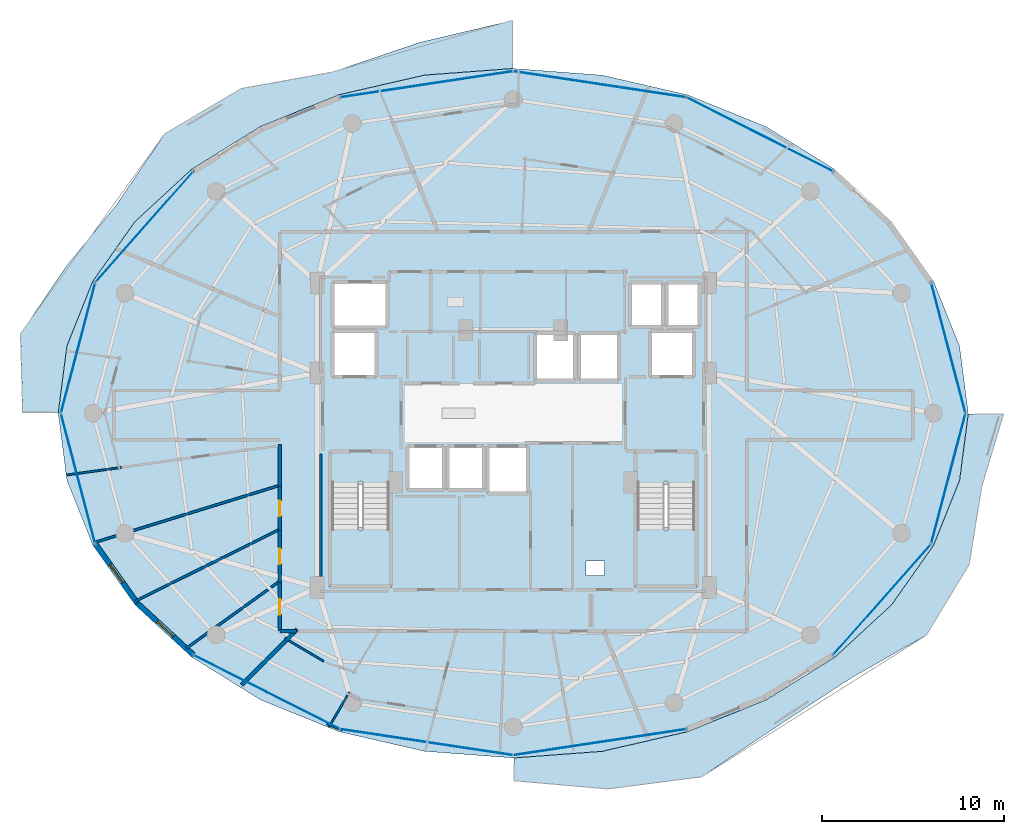
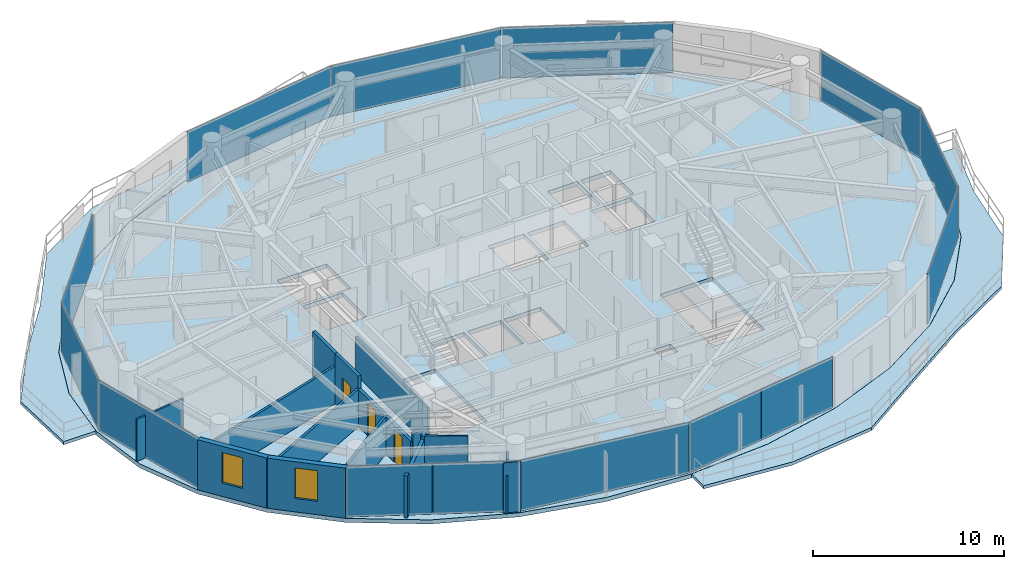
# One storey, part 20 of 29: 17 walls, 14 plates, 5 slabs, 3 doors, 2 windows, 5 openings, 6 elements without a shape of their own.
"""IFC4 building model written with IfcOpenShell, lengths in metres."""

from ifc_helpers import new_model, si_unit, direction, frame, frame_2d, origin, origin_2d, place, context, subcontext, project, spatial, polyline, rectangle, outline, extrude, material, layer, layer_set, type_object, element, fill, aggregate, save


model = new_model("IFC4")

# Units and contexts
model_context = context("Model", 3, precision=1e-05, world=origin(), true_north=direction((0.0, 1.0)))
body_context = subcontext(model_context, "Body", "Model", "MODEL_VIEW")
ifc_project = project(units=[si_unit("LENGTHUNIT", "METRE"), si_unit("AREAUNIT", "SQUARE_METRE"), si_unit("VOLUMEUNIT", "CUBIC_METRE"), si_unit("PLANEANGLEUNIT", "RADIAN"), si_unit("MASSUNIT", "GRAM", prefix="KILO")], contexts=[model_context])

# Site, building, storey
site_placement = place(None, origin())
site = spatial("IfcSite", under=ifc_project, at=site_placement, CompositionType="ELEMENT")
building_placement = place(site_placement, origin())
building = spatial("IfcBuilding", under=site, at=building_placement, Name="Vorneva Point Tower", CompositionType="ELEMENT")
storey_placement = place(building_placement, frame((0.0, 0.0, 171.10009765625)))
storey = spatial("IfcBuildingStorey", under=building, at=storey_placement, Name="L46", CompositionType="ELEMENT", Elevation=171.10009765625)

# Curtain wall, plates
ifc_material_1 = material(Name="Pale anodised aluminium", Category="aluminium")
curtain_wall_type = type_object("IfcCurtainWallType", Name="CW-RES-SYS", PredefinedType="NOTDEFINED", material=ifc_material_1)
curtain_wall_1_placement = place(storey_placement, origin())
curtain_wall_1 = element("IfcCurtainWall", 1, at=curtain_wall_1_placement, inside=storey, type_object=curtain_wall_type, Name="L46 Unitised Curtain Wall CW-L46-R01", PredefinedType="NOTDEFINED")
ifc_material_2 = material(Name="Double low-e laminated glass IGU", Category="glass")
ifc_layer_1 = layer(ifc_material_2, 0.035888671875)
ifc_layer_set_1 = layer_set([ifc_layer_1], Name="Double low-e laminated glass IGU")
plate_type = type_object("IfcPlateType", Name="CW-PNL-VIS", PredefinedType="CURTAIN_PANEL", material=ifc_layer_set_1)
plate_1_placement = place(storey_placement, frame((58.22412109375, 15.783203125, -0.02001953125), z_axis=(0.0, 0.0, 1.0), x_axis=(0.662214727207, 0.749314123095, 0.0)))
plate_1 = element("IfcPlate", 2, at=plate_1_placement, type_object=plate_type, Name="CW-L46-R01 Glazed Panel 01", PredefinedType="CURTAIN_PANEL", context=body_context, shape_type="SweptSolid", body=[
    extrude(rectangle(XDim=8.068115234375, YDim=0.035888671875, at=origin_2d()), origin(), (0.0, 0.0, 1.0), 3.239990234375),
])
plate_2_placement = place(storey_placement, frame((61.856201171875, 22.412353515625, -0.02001953125), z_axis=(0.0, 0.0, 1.0), x_axis=(0.254433162972, 0.967090360608, 0.0)))
plate_2 = element("IfcPlate", 3, at=plate_2_placement, type_object=plate_type, Name="CW-L46-R01 Glazed Panel 02", PredefinedType="CURTAIN_PANEL", context=body_context, shape_type="SweptSolid", body=[
    extrude(rectangle(XDim=7.369384765625, YDim=0.035888671875, at=origin_2d()), origin(), (0.0, 0.0, 1.0), 3.239990234375),
])
plate_3_placement = place(storey_placement, frame((61.856201171875, 29.587646484375, -0.02001953125), z_axis=(0.0, 0.0, 1.0), x_axis=(-0.254433162972, 0.967090360608, 0.0)))
plate_3 = element("IfcPlate", 4, at=plate_3_placement, type_object=plate_type, Name="CW-L46-R01 Glazed Panel 03", PredefinedType="CURTAIN_PANEL", context=body_context, shape_type="SweptSolid", body=[
    extrude(rectangle(XDim=7.369384765625, YDim=0.035888671875, at=origin_2d()), origin(), (0.0, 0.0, 1.0), 3.239990234375),
])
aggregate(curtain_wall_1, [plate_1, plate_2, plate_3])

curtain_wall_2_placement = place(storey_placement, origin())
curtain_wall_2 = element("IfcCurtainWall", 5, at=curtain_wall_2_placement, inside=storey, type_object=curtain_wall_type, Name="L46 Unitised Curtain Wall CW-L46-R02", PredefinedType="NOTDEFINED")
plate_4_placement = place(storey_placement, frame((51.513427734375, 41.29052734375, -0.02001953125), z_axis=(0.0, 0.0, 1.0), x_axis=(-0.892577949019, 0.450893119182, 0.0)))
plate_4 = element("IfcPlate", 6, at=plate_4_placement, type_object=plate_type, Name="CW-L46-R02 Glazed Panel 01", PredefinedType="CURTAIN_PANEL", context=body_context, shape_type="SweptSolid", body=[
    extrude(rectangle(XDim=8.964111328125, YDim=0.035888671875, at=origin_2d()), origin(), (0.0, 0.0, 1.0), 3.239990234375),
])
plate_5_placement = place(storey_placement, frame((42.7451171875, 44.036376953125, -0.02001953125), z_axis=(0.0, 0.0, 1.0), x_axis=(-0.988878712919, 0.148724211669, 0.0)))
plate_5 = element("IfcPlate", 7, at=plate_5_placement, type_object=plate_type, Name="CW-L46-R02 Glazed Panel 02", PredefinedType="CURTAIN_PANEL", context=body_context, shape_type="SweptSolid", body=[
    extrude(rectangle(XDim=9.547119140625, YDim=0.035888671875, at=origin_2d()), origin(), (0.0, 0.0, 1.0), 3.239990234375),
])
plate_6_placement = place(storey_placement, frame((33.2548828125, 44.036376953125, -0.02001953125), z_axis=(0.0, 0.0, 1.0), x_axis=(-0.988878712919, -0.148724211669, 0.0)))
plate_6 = element("IfcPlate", 8, at=plate_6_placement, type_object=plate_type, Name="CW-L46-R02 Glazed Panel 03", PredefinedType="CURTAIN_PANEL", context=body_context, shape_type="SweptSolid", body=[
    extrude(rectangle(XDim=9.547119140625, YDim=0.035888671875, at=origin_2d()), origin(), (0.0, 0.0, 1.0), 3.239990234375),
])
aggregate(curtain_wall_2, [plate_4, plate_5, plate_6])

curtain_wall_3_placement = place(storey_placement, origin())
curtain_wall_3 = element("IfcCurtainWall", 9, at=curtain_wall_3_placement, inside=storey, type_object=curtain_wall_type, Name="L46 Unitised Curtain Wall CW-L46-R03", PredefinedType="NOTDEFINED")
plate_7_placement = place(storey_placement, frame((17.77587890625, 36.216796875, -0.02001953125), z_axis=(0.0, 0.0, 1.0), x_axis=(-0.662214727207, -0.749314123095, 0.0)))
plate_7 = element("IfcPlate", 10, at=plate_7_placement, type_object=plate_type, Name="CW-L46-R03 Glazed Panel 01", PredefinedType="CURTAIN_PANEL", context=body_context, shape_type="SweptSolid", body=[
    extrude(rectangle(XDim=8.068115234375, YDim=0.035888671875, at=origin_2d()), origin(), (0.0, 0.0, 1.0), 3.239990234375),
])
plate_8_placement = place(storey_placement, frame((14.143798828125, 29.587646484375, -0.02001953125), z_axis=(0.0, 0.0, 1.0), x_axis=(-0.254433162972, -0.967090360608, 0.0)))
plate_8 = element("IfcPlate", 11, at=plate_8_placement, type_object=plate_type, Name="CW-L46-R03 Glazed Panel 02", PredefinedType="CURTAIN_PANEL", context=body_context, shape_type="SweptSolid", body=[
    extrude(rectangle(XDim=7.369384765625, YDim=0.035888671875, at=origin_2d()), origin(), (0.0, 0.0, 1.0), 3.239990234375),
])
plate_9_placement = place(storey_placement, frame((14.143798828125, 22.412353515625, -0.02001953125), z_axis=(0.0, 0.0, 1.0), x_axis=(0.254433162972, -0.967090360608, 0.0)))
plate_9 = element("IfcPlate", 12, at=plate_9_placement, type_object=plate_type, Name="CW-L46-R03 Glazed Panel 03", PredefinedType="CURTAIN_PANEL", context=body_context, shape_type="SweptSolid", body=[
    extrude(rectangle(XDim=7.369384765625, YDim=0.035888671875, at=origin_2d()), origin(), (0.0, 0.0, 1.0), 3.239990234375),
])
aggregate(curtain_wall_3, [plate_7, plate_8, plate_9])

curtain_wall_4_placement = place(storey_placement, origin())
curtain_wall_4 = element("IfcCurtainWall", 13, at=curtain_wall_4_placement, inside=storey, type_object=curtain_wall_type, Name="L46 Unitised Curtain Wall CW-L46-R04", PredefinedType="NOTDEFINED")
plate_10_placement = place(storey_placement, frame((22.47509765625, 11.7255859375, -0.02001953125), z_axis=(0.0, 0.0, 1.0), x_axis=(0.892577949019, -0.450893119182, 0.0)))
plate_10 = element("IfcPlate", 14, at=plate_10_placement, type_object=plate_type, Name="CW-L46-R04 Glazed Panel 01A", PredefinedType="CURTAIN_PANEL", context=body_context, shape_type="SweptSolid", body=[
    extrude(rectangle(XDim=4.45703125, YDim=0.035888671875, at=origin_2d()), origin(), (0.0, 0.0, 1.0), 3.239990234375),
])
plate_11_placement = place(storey_placement, frame((26.498046875, 9.693359375, -0.02001953125), z_axis=(0.0, 0.0, 1.0), x_axis=(0.892577949019, -0.450893119182, 0.0)))
plate_11 = element("IfcPlate", 15, at=plate_11_placement, type_object=plate_type, Name="CW-L46-R04 Glazed Panel 01B", PredefinedType="CURTAIN_PANEL", context=body_context, shape_type="SweptSolid", body=[
    extrude(rectangle(XDim=4.45703125, YDim=0.035888671875, at=origin_2d()), origin(), (0.0, 0.0, 1.0), 3.239990234375),
])
plate_12_placement = place(storey_placement, frame((33.2548828125, 7.963623046875, -0.02001953125), z_axis=(0.0, 0.0, 1.0), x_axis=(0.988878712919, -0.148724211669, 0.0)))
plate_12 = element("IfcPlate", 16, at=plate_12_placement, type_object=plate_type, Name="CW-L46-R04 Glazed Panel 02", PredefinedType="CURTAIN_PANEL", context=body_context, shape_type="SweptSolid", body=[
    extrude(rectangle(XDim=9.547119140625, YDim=0.035888671875, at=origin_2d()), origin(), (0.0, 0.0, 1.0), 3.239990234375),
])
plate_13_placement = place(storey_placement, frame((40.37255859375, 7.606689453125, -0.02001953125), z_axis=(0.0, 0.0, 1.0), x_axis=(0.988878712919, 0.148724211669, 0.0)))
plate_13 = element("IfcPlate", 17, at=plate_13_placement, type_object=plate_type, Name="CW-L46-R04 Glazed Panel 03A", PredefinedType="CURTAIN_PANEL", context=body_context, shape_type="SweptSolid", body=[
    extrude(rectangle(XDim=4.74853515625, YDim=0.035888671875, at=origin_2d()), origin(), (0.0, 0.0, 1.0), 3.239990234375),
])
plate_14_placement = place(storey_placement, frame((45.117919921875, 8.320556640625, -0.02001953125), z_axis=(0.0, 0.0, 1.0), x_axis=(0.988878712919, 0.148724211669, 0.0)))
plate_14 = element("IfcPlate", 18, at=plate_14_placement, type_object=plate_type, Name="CW-L46-R04 Glazed Panel 03B", PredefinedType="CURTAIN_PANEL", context=body_context, shape_type="SweptSolid", body=[
    extrude(rectangle(XDim=4.74853515625, YDim=0.035888671875, at=origin_2d()), origin(), (0.0, 0.0, 1.0), 3.239990234375),
])
aggregate(curtain_wall_4, [plate_10, plate_11, plate_12, plate_13, plate_14])

# Slabs
ifc_material_3 = material(Name="Concrete B50 (C40/50)", Category="concrete")
ifc_layer_2 = layer(ifc_material_3, 0.199951171875)
ifc_layer_set_2 = layer_set([ifc_layer_2], Name="Concrete B50 (C40/50)")
slab_type_1 = type_object("IfcSlabType", Name="SLB-BAL-200", PredefinedType="FLOOR", material=ifc_layer_set_2)
slab_1_placement = place(storey_placement, frame((0.0, 0.0, -0.2001953125)))
element("IfcSlab", 19, at=slab_1_placement, inside=storey, type_object=slab_type_1, Name="L46 Cantilevered Wave Balcony NW", PredefinedType="FLOOR", context=body_context, shape_type="SweptSolid", body=[
    extrude(outline(polyline([(11.0986328125, 26.050048828125), (13.052490234375, 26.050048828125), (13.525390625, 29.687744140625), (13.525390625, 29.68798828125), (13.525634765625, 29.6884765625), (13.525634765625, 29.688720703125), (14.945556640625, 33.234130859375), (14.94580078125, 33.234619140625), (14.94580078125, 33.235107421875), (17.25146484375, 36.502685546875), (17.251708984375, 36.5029296875), (17.252197265625, 36.503173828125), (20.35498046875, 39.3671875), (20.355224609375, 39.367431640625), (20.355712890625, 39.36767578125), (24.136474609375, 41.71826171875), (24.13671875, 41.718505859375), (24.136962890625, 41.718505859375), (28.450439453125, 43.465087890625), (28.45068359375, 43.465087890625), (28.451171875, 43.465087890625), (33.131591796875, 44.540771484375), (33.1318359375, 44.540771484375), (33.132080078125, 44.540771484375), (37.949951171875, 44.900390625), (37.949951171875, 47.5380859375), (32.8623046875, 46.330078125), (28.06201171875, 44.704833984375), (23.082275390625, 43.801513671875), (18.88134765625, 41.313232421875), (16.22900390625, 37.4052734375), (13.473388671875, 34.039794921875), (10.979248046875, 30.356689453125), (11.0986328125, 26.050048828125)])), origin(), (0.0, 0.0, 1.0), 0.2001953125),
])
slab_2_placement = place(storey_placement, frame((0.0, 0.0, -0.2001953125)))
element("IfcSlab", 20, at=slab_2_placement, inside=storey, type_object=slab_type_1, Name="L46 Cantilevered Wave Balcony SE", PredefinedType="FLOOR", context=body_context, shape_type="SweptSolid", body=[
    extrude(outline(polyline([(63.692626953125, 21.991943359375), (64.885009765625, 25.949951171875), (62.947509765625, 25.949951171875), (62.474609375, 22.312255859375), (62.474609375, 22.31201171875), (62.474365234375, 22.3115234375), (62.474365234375, 22.311279296875), (61.054443359375, 18.765869140625), (61.05419921875, 18.765380859375), (61.05419921875, 18.764892578125), (58.74853515625, 15.497314453125), (58.748291015625, 15.4970703125), (58.747802734375, 15.496826171875), (55.64501953125, 12.6328125), (55.644775390625, 12.632568359375), (55.644287109375, 12.63232421875), (51.863525390625, 10.28173828125), (51.86328125, 10.281494140625), (51.863037109375, 10.281494140625), (47.549560546875, 8.534912109375), (47.54931640625, 8.534912109375), (47.548828125, 8.534912109375), (42.868408203125, 7.459228515625), (42.8681640625, 7.459228515625), (42.867919921875, 7.459228515625), (38.050048828125, 7.099609375), (38.050048828125, 5.845703125), (43.178466796875, 5.39990234375), (48.325439453125, 6.06103515625), (52.56640625, 8.892333984375), (56.52099609375, 11.475830078125), (60.64404296875, 13.82470703125), (62.996826171875, 17.703125), (63.692626953125, 21.991943359375)])), origin(), (0.0, 0.0, 1.0), 0.2001953125),
])

# Stair, slab
stair_type = type_object("IfcStairType", Name="ST-DOG-1500", PredefinedType="HALF_TURN_STAIR", material=ifc_material_3)
stair_1_placement = place(storey_placement, origin())
stair_1 = element("IfcStair", 21, at=stair_1_placement, inside=storey, type_object=stair_type, Name="L46 ST1", PredefinedType="HALF_TURN_STAIR")
ifc_layer_3 = layer(ifc_material_3, 0.199951171875)
ifc_layer_set_3 = layer_set([ifc_layer_3], Name="Concrete B50 (C40/50)")
slab_type_2 = type_object("IfcSlabType", Name="SLB-LND-200", PredefinedType="LANDING", material=ifc_layer_set_3)
slab_3_placement = place(storey_placement, frame((0.0, 0.0, 1.5498046875)))
slab_3 = element("IfcSlab", 22, at=slab_3_placement, type_object=slab_type_2, Name="ST1 landing 1", PredefinedType="LANDING", context=body_context, shape_type="SweptSolid", body=[
    extrude(outline(polyline([(27.929931640625, 16.47998046875), (31.320068359375, 16.47998046875), (31.320068359375, 19.72998046875), (27.929931640625, 19.72998046875), (27.929931640625, 16.47998046875)])), origin(), (0.0, 0.0, 1.0), 0.2001953125),
])
aggregate(stair_1, [slab_3])

stair_2_placement = place(storey_placement, origin())
stair_2 = element("IfcStair", 23, at=stair_2_placement, inside=storey, type_object=stair_type, Name="L46 ST2", PredefinedType="HALF_TURN_STAIR")
slab_4_placement = place(storey_placement, frame((0.0, 0.0, 1.5498046875)))
slab_4 = element("IfcSlab", 24, at=slab_4_placement, type_object=slab_type_2, Name="ST2 landing 1", PredefinedType="LANDING", context=body_context, shape_type="SweptSolid", body=[
    extrude(outline(polyline([(44.679931640625, 16.47998046875), (48.070068359375, 16.47998046875), (48.070068359375, 19.72998046875), (44.679931640625, 19.72998046875), (44.679931640625, 16.47998046875)])), origin(), (0.0, 0.0, 1.0), 0.2001953125),
])
aggregate(stair_2, [slab_4])

# Slab
ifc_layer_4 = layer(ifc_material_3, 0.260009765625)
ifc_layer_set_4 = layer_set([ifc_layer_4], Name="Concrete B50 (C40/50)")
slab_type_3 = type_object("IfcSlabType", Name="SLB-TYP-260", PredefinedType="FLOOR", material=ifc_layer_set_4)
slab_5_placement = place(storey_placement, frame((0.0, 0.0, -0.260009765625)))
element("IfcSlab", 25, at=slab_5_placement, inside=storey, type_object=slab_type_3, Name="L46 Structural Floor Plate", PredefinedType="FLOOR", context=body_context, shape_type="SweptSolid", body=[
    extrude(outline(polyline([(62.949951171875, 26.0), (62.470703125, 29.687255859375), (61.05078125, 33.232666015625), (58.7451171875, 36.500244140625), (55.642333984375, 39.3642578125), (51.861572265625, 41.71484375), (47.548095703125, 43.461181640625), (42.867431640625, 44.536865234375), (38.0, 44.89990234375), (33.132568359375, 44.536865234375), (28.451904296875, 43.461181640625), (24.138427734375, 41.71484375), (20.357666015625, 39.3642578125), (17.2548828125, 36.500244140625), (14.94921875, 33.232666015625), (13.529296875, 29.687255859375), (13.050048828125, 26.0), (13.529296875, 22.312744140625), (14.94921875, 18.767333984375), (17.2548828125, 15.499755859375), (20.357666015625, 12.6357421875), (24.138427734375, 10.28515625), (28.451904296875, 8.538818359375), (33.132568359375, 7.463134765625), (38.0, 7.10009765625), (42.867431640625, 7.463134765625), (47.548095703125, 8.538818359375), (51.861572265625, 10.28515625), (55.642333984375, 12.6357421875), (58.7451171875, 15.499755859375), (61.05078125, 18.767333984375), (62.470703125, 22.312744140625), (62.949951171875, 26.0)]), holes=[polyline([(32.199951171875, 21.800048828125), (34.199951171875, 21.800048828125), (34.199951171875, 24.199951171875), (32.199951171875, 24.199951171875), (32.199951171875, 21.800048828125)]), polyline([(34.39990234375, 21.800048828125), (36.39990234375, 21.800048828125), (36.39990234375, 24.199951171875), (34.39990234375, 24.199951171875), (34.39990234375, 21.800048828125)]), polyline([(36.60009765625, 21.60009765625), (38.800048828125, 21.60009765625), (38.800048828125, 24.199951171875), (36.60009765625, 24.199951171875), (36.60009765625, 21.60009765625)]), polyline([(39.199951171875, 27.800048828125), (41.39990234375, 27.800048828125), (41.39990234375, 30.39990234375), (39.199951171875, 30.39990234375), (39.199951171875, 27.800048828125)]), polyline([(41.60009765625, 27.800048828125), (43.800048828125, 27.800048828125), (43.800048828125, 30.39990234375), (41.60009765625, 30.39990234375), (41.60009765625, 27.800048828125)]), polyline([(44.39990234375, 30.739990234375), (46.199951171875, 30.739990234375), (46.199951171875, 33.159912109375), (44.39990234375, 33.159912109375), (44.39990234375, 30.739990234375)]), polyline([(46.39990234375, 30.739990234375), (48.199951171875, 30.739990234375), (48.199951171875, 33.159912109375), (46.39990234375, 33.159912109375), (46.39990234375, 30.739990234375)]), polyline([(28.10009765625, 28.0), (30.5, 28.0), (30.5, 30.5), (28.10009765625, 30.5), (28.10009765625, 28.0)]), polyline([(45.5, 28.0), (47.89990234375, 28.0), (47.89990234375, 30.5), (45.5, 30.5), (45.5, 28.0)]), polyline([(28.10009765625, 30.699951171875), (31.10009765625, 30.699951171875), (31.10009765625, 33.199951171875), (28.10009765625, 33.199951171875), (28.10009765625, 30.699951171875)]), polyline([(28.050048828125, 16.60009765625), (31.199951171875, 16.60009765625), (31.199951171875, 22.080078125), (28.050048828125, 22.080078125), (28.050048828125, 16.60009765625)]), polyline([(44.800048828125, 16.60009765625), (47.949951171875, 16.60009765625), (47.949951171875, 22.080078125), (44.800048828125, 22.080078125), (44.800048828125, 16.60009765625)]), polyline([(42.0, 17.10009765625), (43.0, 17.10009765625), (43.0, 17.89990234375), (42.0, 17.89990234375), (42.0, 17.10009765625)])]), origin(), (0.0, 0.0, 1.0), 0.260009765625),
])

# Wall, opening, window
ifc_material_4 = material(Name="Precast concrete B50 (C40/50)", Category="concrete")
ifc_layer_5 = layer(ifc_material_4, 0.300048828125)
ifc_layer_set_5 = layer_set([ifc_layer_5], Name="Precast concrete B50 (C40/50)")
wall_type_1 = type_object("IfcWallType", Name="WL-EXT-300", PredefinedType="STANDARD", material=ifc_layer_set_5)
wall_1_placement = place(storey_placement, frame((15.087890625, 18.82470703125, 0.0), z_axis=(0.0, 0.0, 1.0), x_axis=(0.577269753207, -0.816553508371, 0.0)))
wall_1 = element("IfcWall", 26, at=wall_1_placement, inside=storey, type_object=wall_type_1, Name="L46 Pale-Metal Facade Spandrel Wall 10.1", PredefinedType="STANDARD", context=body_context, shape_type="SweptSolid", body=[
    extrude(rectangle(XDim=3.969970703125, YDim=0.300048828125, at=frame_2d((1.98486328125, 0.0))), origin(), (0.0, 0.0, 1.0), 3.199951171875),
])
opening_1_placement = place(wall_1_placement, frame((1.385009765625, 0.0, 0.85009765625)))
opening_1 = element("IfcOpeningElement", 27, at=opening_1_placement, cuts=wall_1, Name="Opening W-04", PredefinedType="OPENING", context=body_context, shape_type="SweptSolid", body=[
    extrude(rectangle(XDim=1.199951171875, YDim=1.949951171875, at=frame_2d((0.60009765625, 0.97509765625))), frame((0.0, 0.1650390625, 0.0), z_axis=(0.0, -1.0, 0.0), x_axis=(1.0, 0.0, 0.0)), (0.0, 0.0, 1.0), 0.329833984375),
])
window_type = type_object("IfcWindowType", Name="WN-RES-1200", PartitioningType="SINGLE_PANEL", PredefinedType="WINDOW", material=ifc_material_2)
window_1_placement = place(opening_1_placement, origin())
window_1 = element("IfcWindow", 28, at=window_1_placement, inside=storey, type_object=window_type, Name="L46 Dwelling Vision Window 02", OverallHeight=1.949951171875, OverallWidth=1.199951171875, PartitioningType="SINGLE_PANEL", PredefinedType="WINDOW", context=body_context, shape_type="SweptSolid", body=[
    extrude(rectangle(XDim=1.199951171875, YDim=1.949951171875, at=frame_2d((0.60009765625, 0.97509765625))), frame((0.0, 0.030029296875, 0.0), z_axis=(0.0, -1.0, 0.0), x_axis=(1.0, 0.0, 0.0)), (0.0, 0.0, 1.0), 0.06005859375),
])
fill(opening_1, window_1)

wall_2_placement = place(storey_placement, frame((17.379638671875, 15.5830078125, 0.0), z_axis=(0.0, 0.0, 1.0), x_axis=(0.735477154165, -0.677549522693, 0.0)))
wall_2 = element("IfcWall", 29, at=wall_2_placement, inside=storey, type_object=wall_type_1, Name="L46 Pale-Metal Facade Spandrel Wall 10.2", PredefinedType="STANDARD", context=body_context, shape_type="SweptSolid", body=[
    extrude(rectangle(XDim=4.193603515625, YDim=0.300048828125, at=frame_2d((2.0966796875, 0.0))), origin(), (0.0, 0.0, 1.0), 3.199951171875),
])
opening_2_placement = place(wall_2_placement, frame((1.496826171875, 0.0, 0.85009765625)))
opening_2 = element("IfcOpeningElement", 30, at=opening_2_placement, cuts=wall_2, Name="Opening W-04", PredefinedType="OPENING", context=body_context, shape_type="SweptSolid", body=[
    extrude(rectangle(XDim=1.199951171875, YDim=1.949951171875, at=frame_2d((0.60009765625, 0.97509765625))), frame((0.0, 0.1650390625, 0.0), z_axis=(0.0, -1.0, 0.0), x_axis=(1.0, 0.0, 0.0)), (0.0, 0.0, 1.0), 0.329833984375),
])
window_2_placement = place(opening_2_placement, origin())
window_2 = element("IfcWindow", 31, at=window_2_placement, inside=storey, type_object=window_type, Name="L46 Dwelling Vision Window 03", OverallHeight=1.949951171875, OverallWidth=1.199951171875, PartitioningType="SINGLE_PANEL", PredefinedType="WINDOW", context=body_context, shape_type="SweptSolid", body=[
    extrude(rectangle(XDim=1.199951171875, YDim=1.949951171875, at=frame_2d((0.60009765625, 0.97509765625))), frame((0.0, 0.030029296875, 0.0), z_axis=(0.0, -1.0, 0.0), x_axis=(1.0, 0.0, 0.0)), (0.0, 0.0, 1.0), 0.06005859375),
])
fill(opening_2, window_2)

# Walls
ifc_material_5 = material(Name="Fire-rated acoustic gypsum stud partition", Category="gypsum")
ifc_layer_6 = layer(ifc_material_5, 0.110107421875)
ifc_layer_set_6 = layer_set([ifc_layer_6], Name="Fire-rated acoustic gypsum stud partition")
wall_type_2 = type_object("IfcWallType", Name="WL-PART-110", PredefinedType="PARTITIONING", material=ifc_layer_set_6)
wall_3_placement = place(storey_placement, frame((16.524658203125, 23.0302734375, 0.0), z_axis=(0.0, 0.0, 1.0), x_axis=(-0.990557555541, -0.137097516973, 0.0)))
element("IfcWall", 32, at=wall_3_placement, inside=storey, type_object=wall_type_2, Name="L46 Interior Partition 091", PredefinedType="PARTITIONING", context=body_context, shape_type="SweptSolid", body=[
    extrude(rectangle(XDim=3.05224609375, YDim=0.110107421875, at=frame_2d((1.526123046875, 0.0))), origin(), (0.0, 0.0, 1.0), 2.68798828125),
])
wall_4_placement = place(storey_placement, frame((27.610595703125, 12.398681640625, 0.0), z_axis=(0.0, 0.0, 1.0), x_axis=(-0.860546797705, 0.509371386082, 0.0)))
element("IfcWall", 33, at=wall_4_placement, inside=storey, type_object=wall_type_2, Name="L46 Interior Partition 101", PredefinedType="PARTITIONING", context=body_context, shape_type="SweptSolid", body=[
    extrude(rectangle(XDim=2.484619140625, YDim=0.110107421875, at=frame_2d((1.2421875, 0.0))), origin(), (0.0, 0.0, 1.0), 2.888916015625),
])
wall_5_placement = place(storey_placement, frame((27.88818359375, 8.779296875, 0.0), z_axis=(0.0, 0.0, 1.0), x_axis=(0.506572342253, 0.86219746118, 0.0)))
element("IfcWall", 34, at=wall_5_placement, inside=storey, type_object=wall_type_2, Name="L46 Interior Partition 102", PredefinedType="PARTITIONING", context=body_context, shape_type="SweptSolid", body=[
    extrude(rectangle(XDim=2.239990234375, YDim=0.110107421875, at=frame_2d((1.1201171875, 0.0))), origin(), (0.0, 0.0, 1.0), 2.391845703125),
])
wall_6_placement = place(storey_placement, frame((27.773193359375, 8.974365234375, 0.0), z_axis=(0.0, 0.0, 1.0), x_axis=(0.927227668606, -0.374498131599, 0.0)))
element("IfcWall", 35, at=wall_6_placement, inside=storey, type_object=wall_type_2, Name="L46 Interior Partition 105", PredefinedType="PARTITIONING", context=body_context, shape_type="SweptSolid", body=[
    extrude(rectangle(XDim=0.92041015625, YDim=0.110107421875, at=frame_2d((0.460205078125, 0.0))), origin(), (0.0, 0.0, 1.0), 3.199951171875),
])
ifc_layer_7 = layer(ifc_material_5, 0.139892578125)
ifc_layer_set_7 = layer_set([ifc_layer_7], Name="Fire-rated acoustic gypsum stud partition")
wall_type_3 = type_object("IfcWallType", Name="WL-PART-140", PredefinedType="PARTITIONING", material=ifc_layer_set_7)
wall_7_placement = place(storey_placement, frame((15.051025390625, 18.9150390625, 0.0), z_axis=(0.0, 0.0, 1.0), x_axis=(0.955505753702, 0.294972464211, 0.0)))
element("IfcWall", 36, at=wall_7_placement, inside=storey, type_object=wall_type_3, Name="L46 Interior Partition 094", PredefinedType="PARTITIONING", context=body_context, shape_type="SweptSolid", body=[
    extrude(rectangle(XDim=10.62158203125, YDim=0.139892578125, at=frame_2d((5.310791015625, 0.0))), origin(), (0.0, 0.0, 1.0), 2.391845703125),
])
wall_8_placement = place(storey_placement, frame((17.2939453125, 15.7041015625, 0.0), z_axis=(0.0, 0.0, 1.0), x_axis=(0.89538182578, 0.445299209591, 0.0)))
element("IfcWall", 37, at=wall_8_placement, inside=storey, type_object=wall_type_3, Name="L46 Interior Partition 095", PredefinedType="PARTITIONING", context=body_context, shape_type="SweptSolid", body=[
    extrude(rectangle(XDim=8.829833984375, YDim=0.139892578125, at=frame_2d((4.4150390625, 0.0))), origin(), (0.0, 0.0, 1.0), 2.391845703125),
])
wall_9_placement = place(storey_placement, frame((20.069091796875, 13.10595703125, 0.0), z_axis=(0.0, 0.0, 1.0), x_axis=(0.81185514799, 0.58385890306, 0.0)))
element("IfcWall", 38, at=wall_9_placement, inside=storey, type_object=wall_type_3, Name="L46 Interior Partition 096", PredefinedType="PARTITIONING", context=body_context, shape_type="SweptSolid", body=[
    extrude(rectangle(XDim=6.31982421875, YDim=0.139892578125, at=frame_2d((3.159912109375, 0.0))), origin(), (0.0, 0.0, 1.0), 2.391845703125),
])
wall_10_placement = place(storey_placement, frame((27.449951171875, 23.75390625, 0.0), z_axis=(0.0, 0.0, 1.0), x_axis=(0.0, -1.0, 0.0)))
element("IfcWall", 39, at=wall_10_placement, inside=storey, type_object=wall_type_3, Name="L46 Interior Closure Partition 129", PredefinedType="PARTITIONING", context=body_context, shape_type="SweptSolid", body=[
    extrude(rectangle(XDim=7.513916015625, YDim=0.139892578125, at=frame_2d((3.7568359375, 0.0))), origin(), (0.0, 0.0, 1.0), 2.391845703125),
])
ifc_material_6 = material(Name="Autoclaved aerated concrete blockwork", Category="masonry")
ifc_layer_8 = layer(ifc_material_6, 0.179931640625)
ifc_layer_set_8 = layer_set([ifc_layer_8], Name="Autoclaved aerated concrete blockwork")
wall_type_4 = type_object("IfcWallType", Name="WL-PART-180", PredefinedType="PARTITIONING", material=ifc_layer_set_8)
wall_11_placement = place(storey_placement, frame((25.199951171875, 24.2900390625, 0.0), z_axis=(0.0, 0.0, 1.0), x_axis=(0.0, -1.0, 0.0)))
element("IfcWall", 40, at=wall_11_placement, inside=storey, type_object=wall_type_4, Name="L46 Interior Partition 042", PredefinedType="PARTITIONING", context=body_context, shape_type="SweptSolid", body=[
    extrude(rectangle(XDim=2.304931640625, YDim=0.179931640625, at=frame_2d((1.15234375, 0.0))), origin(), (0.0, 0.0, 1.0), 3.199951171875),
])

# Wall, opening, door
wall_12_placement = place(storey_placement, frame((25.199951171875, 21.985107421875, 0.0), z_axis=(0.0, 0.0, 1.0), x_axis=(0.0, -1.0, 0.0)))
wall_12 = element("IfcWall", 41, at=wall_12_placement, inside=storey, type_object=wall_type_4, Name="L46 Interior Partition 043", PredefinedType="PARTITIONING", context=body_context, shape_type="SweptSolid", body=[
    extrude(rectangle(XDim=2.416015625, YDim=0.179931640625, at=frame_2d((1.2080078125, 0.0))), origin(), (0.0, 0.0, 1.0), 3.199951171875),
])
opening_3_placement = place(wall_12_placement, frame((0.782958984375, 0.0, 0.0)))
opening_3 = element("IfcOpeningElement", 42, at=opening_3_placement, cuts=wall_12, Name="Opening ID-02", PredefinedType="OPENING", context=body_context, shape_type="SweptSolid", body=[
    extrude(rectangle(XDim=0.85009765625, YDim=2.10009765625, at=frame_2d((0.425048828125, 1.050048828125))), frame((0.0, 0.10498046875, 0.0), z_axis=(0.0, -1.0, 0.0), x_axis=(1.0, 0.0, 0.0)), (0.0, 0.0, 1.0), 0.209716796875),
])
ifc_material_7 = material(Name="Engineered oak fire-rated door leaf", Category="wood")
door_type = type_object("IfcDoorType", Name="DR-BATH-850", OperationType="NOTDEFINED", PredefinedType="DOOR", material=ifc_material_7)
door_1_placement = place(opening_3_placement, origin())
door_1 = element("IfcDoor", 43, at=door_1_placement, inside=storey, type_object=door_type, Name="L46 Access Door L46 Circulation Corridor", OperationType="SINGLE_SWING_RIGHT", OverallHeight=2.10009765625, OverallWidth=0.85009765625, PredefinedType="DOOR", context=body_context, shape_type="SweptSolid", body=[
    extrude(rectangle(XDim=0.85009765625, YDim=2.10009765625, at=frame_2d((0.425048828125, 1.050048828125))), frame((0.0, 0.02490234375, 0.0), z_axis=(0.0, -1.0, 0.0), x_axis=(1.0, 0.0, 0.0)), (0.0, 0.0, 1.0), 0.050048828125),
])
fill(opening_3, door_1)

wall_13_placement = place(storey_placement, frame((25.199951171875, 19.569091796875, 0.0), z_axis=(0.0, 0.0, 1.0), x_axis=(0.0, -1.0, 0.0)))
wall_13 = element("IfcWall", 44, at=wall_13_placement, inside=storey, type_object=wall_type_4, Name="L46 Interior Partition 044", PredefinedType="PARTITIONING", context=body_context, shape_type="SweptSolid", body=[
    extrude(rectangle(XDim=2.84716796875, YDim=0.179931640625, at=frame_2d((1.423583984375, 0.0))), origin(), (0.0, 0.0, 1.0), 2.391845703125),
])
opening_4_placement = place(wall_13_placement, frame((0.99853515625, 0.0, 0.0)))
opening_4 = element("IfcOpeningElement", 45, at=opening_4_placement, cuts=wall_13, Name="Opening ID-02", PredefinedType="OPENING", context=body_context, shape_type="SweptSolid", body=[
    extrude(rectangle(XDim=0.85009765625, YDim=2.10009765625, at=frame_2d((0.425048828125, 1.050048828125))), frame((0.0, 0.10498046875, 0.0), z_axis=(0.0, -1.0, 0.0), x_axis=(1.0, 0.0, 0.0)), (0.0, 0.0, 1.0), 0.209716796875),
])
door_2_placement = place(opening_4_placement, origin())
door_2 = element("IfcDoor", 46, at=door_2_placement, inside=storey, type_object=door_type, Name="L46 Access Door L46 Circulation Corridor", OperationType="SINGLE_SWING_LEFT", OverallHeight=2.10009765625, OverallWidth=0.85009765625, PredefinedType="DOOR", context=body_context, shape_type="SweptSolid", body=[
    extrude(rectangle(XDim=0.85009765625, YDim=2.10009765625, at=frame_2d((0.425048828125, 1.050048828125))), frame((0.0, 0.02490234375, 0.0), z_axis=(0.0, -1.0, 0.0), x_axis=(1.0, 0.0, 0.0)), (0.0, 0.0, 1.0), 0.050048828125),
])
fill(opening_4, door_2)

wall_14_placement = place(storey_placement, frame((25.199951171875, 16.721923828125, 0.0), z_axis=(0.0, 0.0, 1.0), x_axis=(0.0, -1.0, 0.0)))
wall_14 = element("IfcWall", 47, at=wall_14_placement, inside=storey, type_object=wall_type_4, Name="L46 Interior Partition 045", PredefinedType="PARTITIONING", context=body_context, shape_type="SweptSolid", body=[
    extrude(rectangle(XDim=2.671875, YDim=0.179931640625, at=frame_2d((1.3359375, 0.0))), origin(), (0.0, 0.0, 1.0), 2.391845703125),
])
opening_5_placement = place(wall_14_placement, frame((0.910888671875, 0.0, 0.0)))
opening_5 = element("IfcOpeningElement", 48, at=opening_5_placement, cuts=wall_14, Name="Opening ID-02", PredefinedType="OPENING", context=body_context, shape_type="SweptSolid", body=[
    extrude(rectangle(XDim=0.85009765625, YDim=2.10009765625, at=frame_2d((0.425048828125, 1.050048828125))), frame((0.0, 0.10498046875, 0.0), z_axis=(0.0, -1.0, 0.0), x_axis=(1.0, 0.0, 0.0)), (0.0, 0.0, 1.0), 0.209716796875),
])
door_3_placement = place(opening_5_placement, origin())
door_3 = element("IfcDoor", 49, at=door_3_placement, inside=storey, type_object=door_type, Name="L46 Access Door L46 Circulation Corridor", OperationType="SINGLE_SWING_RIGHT", OverallHeight=2.10009765625, OverallWidth=0.85009765625, PredefinedType="DOOR", context=body_context, shape_type="SweptSolid", body=[
    extrude(rectangle(XDim=0.85009765625, YDim=2.10009765625, at=frame_2d((0.425048828125, 1.050048828125))), frame((0.0, 0.02490234375, 0.0), z_axis=(0.0, -1.0, 0.0), x_axis=(1.0, 0.0, 0.0)), (0.0, 0.0, 1.0), 0.050048828125),
])
fill(opening_5, door_3)

# Walls
wall_15_placement = place(storey_placement, frame((25.199951171875, 14.050048828125, 0.0), z_axis=(0.0, 0.0, 1.0), x_axis=(1.0, 0.0, 0.0)))
element("IfcWall", 50, at=wall_15_placement, inside=storey, type_object=wall_type_4, Name="L46 Interior Partition 046", PredefinedType="PARTITIONING", context=body_context, shape_type="SweptSolid", body=[
    extrude(rectangle(XDim=0.91015625, YDim=0.179931640625, at=frame_2d((0.455078125, 0.0))), origin(), (0.0, 0.0, 1.0), 2.888916015625),
])
ifc_layer_9 = layer(ifc_material_6, 0.199951171875)
ifc_layer_set_9 = layer_set([ifc_layer_9], Name="Autoclaved aerated concrete blockwork")
wall_type_5 = type_object("IfcWallType", Name="WL-PART-200", PredefinedType="PARTITIONING", material=ifc_layer_set_9)
wall_16_placement = place(storey_placement, frame((23.10498046875, 11.10498046875, 0.0), z_axis=(0.0, 0.0, 1.0), x_axis=(0.707106781187, 0.707106781187, 0.0)))
element("IfcWall", 51, at=wall_16_placement, inside=storey, type_object=wall_type_5, Name="L46 Interior Partition 097", PredefinedType="PARTITIONING", context=body_context, shape_type="SweptSolid", body=[
    extrude(rectangle(XDim=3.580810546875, YDim=0.199951171875, at=frame_2d((1.79052734375, 0.0))), origin(), (0.0, 0.0, 1.0), 2.68798828125),
])
wall_17_placement = place(storey_placement, frame((25.5380859375, 13.5380859375, 0.0), z_axis=(0.0, 0.0, 1.0), x_axis=(0.707106781187, 0.707106781187, 0.0)))
element("IfcWall", 52, at=wall_17_placement, inside=storey, type_object=wall_type_5, Name="L46 Interior Partition 098", PredefinedType="PARTITIONING", context=body_context, shape_type="SweptSolid", body=[
    extrude(rectangle(XDim=0.86376953125, YDim=0.199951171875, at=frame_2d((0.431884765625, 0.0))), origin(), (0.0, 0.0, 1.0), 2.888916015625),
])

save(model, "model.ifc")
